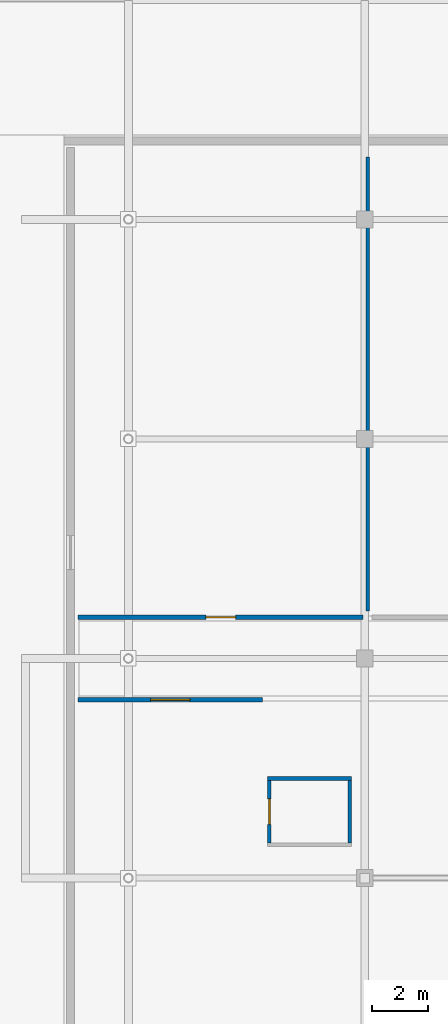
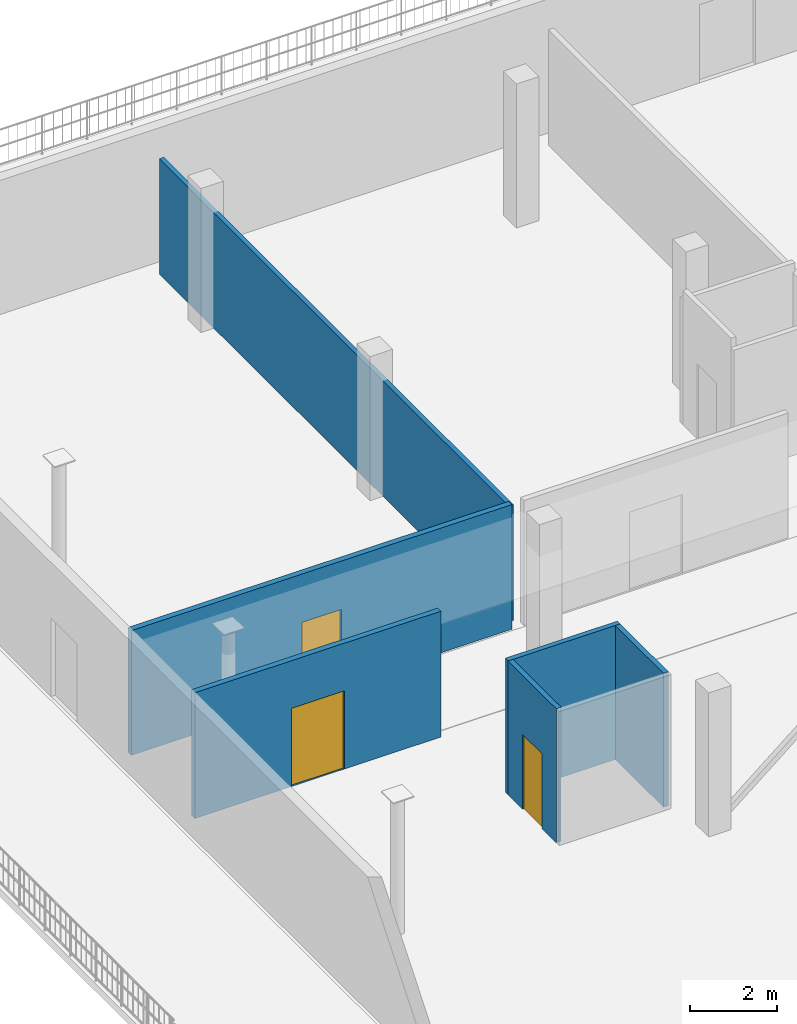
# One storey, part 15 of 25: 6 walls, 3 doors, 3 openings.
"""IFC4 building model written with IfcOpenShell, lengths in metres."""

from ifc_helpers import new_model, si_unit, direction, frame, frame_2d, origin, place, context, subcontext, project, spatial, rectangle, extrude, material, layer, layer_set, type_object, element, fill, save


model = new_model("IFC4")

# Units and contexts
model_context = context("Model", 3, precision=1e-05, world=origin(), true_north=direction((0.0, 1.0)))
body_context = subcontext(model_context, "Body", "Model", "MODEL_VIEW")
ifc_project = project(units=[si_unit("LENGTHUNIT", "METRE"), si_unit("AREAUNIT", "SQUARE_METRE"), si_unit("VOLUMEUNIT", "CUBIC_METRE"), si_unit("PLANEANGLEUNIT", "RADIAN"), si_unit("MASSUNIT", "GRAM", prefix="KILO")], contexts=[model_context])

# Site, building, storey
site_placement = place(None, origin())
site = spatial("IfcSite", under=ifc_project, at=site_placement, CompositionType="ELEMENT")
building_placement = place(site_placement, origin())
building = spatial("IfcBuilding", under=site, at=building_placement, Name="Nabrawat Pavilion Hospital", CompositionType="ELEMENT")
storey_placement = place(building_placement, frame((0.0, 0.0, 22.949951171875)))
storey = spatial("IfcBuildingStorey", under=building, at=storey_placement, Name="L05", CompositionType="ELEMENT", Elevation=22.949951171875)

# Wall, opening, door
ifc_material_1 = material(Name="Gypsum Fireboard on Steel Stud", Category="steel")
ifc_layer_1 = layer(ifc_material_1, 0.14990234375, Name="Gypsum Fireboard on Steel Stud")
ifc_layer_set_1 = layer_set([ifc_layer_1], Name="Gypsum Fireboard on Steel Stud")
wall_type_1 = type_object("IfcWallType", Name="Clinical Corridor Smoke-Barrier Wall 150", PredefinedType="PARTITIONING", material=ifc_layer_set_1)
wall_1_placement = place(storey_placement, frame((141.02001953125, 99.93505859375, 0.0), z_axis=(0.0, 0.0, 1.0), x_axis=(1.0, 0.0, 0.0)))
wall_1 = element("IfcWall", 1, at=wall_1_placement, inside=storey, type_object=wall_type_1, Name="L05 Inpatient Ward Oncology Protective Bedroom L05-01 Front Partition", PredefinedType="PARTITIONING", context=body_context, shape_type="SweptSolid", body=[
    extrude(rectangle(XDim=6.550048828125, YDim=0.14990234375, at=frame_2d((3.27490234375, 0.0))), origin(), (0.0, 0.0, 1.0), 3.5400390625),
])
opening_1_placement = place(wall_1_placement, frame((2.574951171875, 0.0, 0.0)))
opening_1 = element("IfcOpeningElement", 2, at=opening_1_placement, cuts=wall_1, Name="Opening D-BED", PredefinedType="OPENING", context=body_context, shape_type="SweptSolid", body=[
    extrude(rectangle(XDim=1.39990234375, YDim=2.199951171875, at=frame_2d((0.699951171875, 1.10009765625))), frame((0.0, 0.0849609375, 0.0), z_axis=(0.0, -1.0, 0.0), x_axis=(1.0, 0.0, 0.0)), (0.0, 0.0, 1.0), 0.169921875),
])
ifc_material_2 = material(Name="Stainless-Clad Acoustic Timber and Vision Glass", Category="wood")
door_type_1 = type_object("IfcDoorType", Name="D-BED Inpatient Ward Leaf-and-a-Half Door 1400x2200", OperationType="NOTDEFINED", PredefinedType="DOOR", material=ifc_material_2)
door_1_placement = place(opening_1_placement, origin())
door_1 = element("IfcDoor", 3, at=door_1_placement, inside=storey, type_object=door_type_1, Name="Inpatient Ward Oncology Protective Bedroom L05-01 Door", OperationType="SINGLE_SWING_LEFT", OverallHeight=2.199951171875, OverallWidth=1.39990234375, PredefinedType="DOOR", context=body_context, shape_type="SweptSolid", body=[
    extrude(rectangle(XDim=1.39990234375, YDim=2.199951171875, at=frame_2d((0.699951171875, 1.10009765625))), frame((0.0, 0.02490234375, 0.0), z_axis=(0.0, -1.0, 0.0), x_axis=(1.0, 0.0, 0.0)), (0.0, 0.0, 1.0), 0.050048828125),
])
fill(opening_1, door_1)

wall_2_placement = place(storey_placement, frame((141.02001953125, 102.864990234375, 0.0), z_axis=(0.0, 0.0, 1.0), x_axis=(1.0, 0.0, 0.0)))
wall_2 = element("IfcWall", 4, at=wall_2_placement, inside=storey, type_object=wall_type_1, Name="L05 Oncology Quiet Garden Lounge L05-05 Front Partition", PredefinedType="PARTITIONING", context=body_context, shape_type="SweptSolid", body=[
    extrude(rectangle(XDim=10.1240234375, YDim=0.14990234375, at=frame_2d((5.06201171875, 0.0))), origin(), (0.0, 0.0, 1.0), 3.510009765625),
])
opening_2_placement = place(wall_2_placement, frame((4.537109375, 0.0, 0.0)))
opening_2 = element("IfcOpeningElement", 5, at=opening_2_placement, cuts=wall_2, Name="Opening D-OPC-R", PredefinedType="OPENING", context=body_context, shape_type="SweptSolid", body=[
    extrude(rectangle(XDim=1.050048828125, YDim=2.14990234375, at=frame_2d((0.52490234375, 1.074951171875))), frame((0.0, 0.0849609375, 0.0), z_axis=(0.0, -1.0, 0.0), x_axis=(1.0, 0.0, 0.0)), (0.0, 0.0, 1.0), 0.169921875),
])
door_type_2 = type_object("IfcDoorType", Name="Outpatient Clinic Consultation Door R 1050x2150", OperationType="NOTDEFINED", PredefinedType="DOOR", material=ifc_material_2)
door_2_placement = place(opening_2_placement, origin())
door_2 = element("IfcDoor", 6, at=door_2_placement, inside=storey, type_object=door_type_2, Name="Oncology Quiet Garden Lounge L05-05 Door", OperationType="SINGLE_SWING_LEFT", OverallHeight=2.14990234375, OverallWidth=1.050048828125, PredefinedType="DOOR", context=body_context, shape_type="SweptSolid", body=[
    extrude(rectangle(XDim=1.050048828125, YDim=2.14990234375, at=frame_2d((0.52490234375, 1.074951171875))), frame((0.0, 0.02490234375, 0.0), z_axis=(0.0, -1.0, 0.0), x_axis=(1.0, 0.0, 0.0)), (0.0, 0.0, 1.0), 0.050048828125),
])
fill(opening_2, door_2)

ifc_material_3 = material(Name="Cement Board on Steel Stud", Category="steel")
ifc_layer_2 = layer(ifc_material_3, 0.1298828125, Name="Cement Board on Steel Stud")
ifc_layer_set_2 = layer_set([ifc_layer_2], Name="Cement Board on Steel Stud")
wall_type_2 = type_object("IfcWallType", Name="En-Suite Moisture-Resistant Partition 130", PredefinedType="PARTITIONING", material=ifc_layer_set_2)
wall_3_placement = place(storey_placement, frame((147.81005859375, 94.85009765625, 0.0), z_axis=(0.0, 0.0, 1.0), x_axis=(0.0, 1.0, 0.0)))
wall_3 = element("IfcWall", 7, at=wall_3_placement, inside=storey, type_object=wall_type_2, Name="L05 En-Suite Bathroom WRD-ONC-01 Front Partition", PredefinedType="PARTITIONING", context=body_context, shape_type="SweptSolid", body=[
    extrude(rectangle(XDim=2.219970703125, YDim=0.1298828125, at=frame_2d((1.10986328125, 0.0))), origin(), (0.0, 0.0, 1.0), 3.77001953125),
])
opening_3_placement = place(wall_3_placement, frame((0.659912109375, 0.0, 0.0)))
opening_3 = element("IfcOpeningElement", 8, at=opening_3_placement, cuts=wall_3, Name="Opening D-ENS-L", PredefinedType="OPENING", context=body_context, shape_type="SweptSolid", body=[
    extrude(rectangle(XDim=0.89990234375, YDim=2.10009765625, at=frame_2d((0.449951171875, 1.050048828125))), frame((0.0, 0.074951171875, 0.0), z_axis=(0.0, -1.0, 0.0), x_axis=(1.0, 0.0, 0.0)), (0.0, 0.0, 1.0), 0.14990234375),
])
door_type_3 = type_object("IfcDoorType", Name="En-Suite Bathroom Outward Door L 900x2100", OperationType="NOTDEFINED", PredefinedType="DOOR", material=ifc_material_2)
door_3_placement = place(opening_3_placement, origin())
door_3 = element("IfcDoor", 9, at=door_3_placement, inside=storey, type_object=door_type_3, Name="En-Suite Bathroom WRD-ONC-01 Door", OperationType="SINGLE_SWING_RIGHT", OverallHeight=2.10009765625, OverallWidth=0.89990234375, PredefinedType="DOOR", context=body_context, shape_type="SweptSolid", body=[
    extrude(rectangle(XDim=0.89990234375, YDim=2.10009765625, at=frame_2d((0.449951171875, 1.050048828125))), frame((0.0, 0.02490234375, 0.0), z_axis=(0.0, -1.0, 0.0), x_axis=(1.0, 0.0, 0.0)), (0.0, 0.0, 1.0), 0.050048828125),
])
fill(opening_3, door_3)

# Walls
wall_4_placement = place(storey_placement, frame((147.7451171875, 97.135009765625, 0.0), z_axis=(0.0, 0.0, 1.0), x_axis=(1.0, 0.0, 0.0)))
element("IfcWall", 10, at=wall_4_placement, inside=storey, type_object=wall_type_2, Name="L05 En-Suite Bathroom WRD-ONC-01 North Partition", PredefinedType="PARTITIONING", context=body_context, shape_type="SweptSolid", body=[
    extrude(rectangle(XDim=2.97998046875, YDim=0.1298828125, at=frame_2d((1.489990234375, 0.0))), origin(), (0.0, 0.0, 1.0), 3.77001953125),
])
wall_5_placement = place(storey_placement, frame((150.659912109375, 94.85009765625, 0.0), z_axis=(0.0, 0.0, 1.0), x_axis=(0.0, 1.0, 0.0)))
element("IfcWall", 11, at=wall_5_placement, inside=storey, type_object=wall_type_2, Name="L05 En-Suite Bathroom WRD-ONC-01 East Partition", PredefinedType="PARTITIONING", context=body_context, shape_type="SweptSolid", body=[
    extrude(rectangle(XDim=2.219970703125, YDim=0.1298828125, at=frame_2d((1.10986328125, 0.0))), origin(), (0.0, 0.0, 1.0), 3.77001953125),
])
ifc_material_4 = material(Name="Gypsum Plasterboard on Stud", Category="gypsum")
ifc_layer_3 = layer(ifc_material_4, 0.1201171875, Name="Gypsum Plasterboard on Stud")
ifc_layer_set_3 = layer_set([ifc_layer_3], Name="Gypsum Plasterboard on Stud")
wall_type_3 = type_object("IfcWallType", Name="Outpatient Consultation Partition 120", PredefinedType="PARTITIONING", material=ifc_layer_set_3)
wall_6_placement = place(storey_placement, frame((151.303955078125, 103.0849609375, 0.0), z_axis=(0.0, 0.0, 1.0), x_axis=(0.0, 1.0, 0.0)))
element("IfcWall", 12, at=wall_6_placement, inside=storey, type_object=wall_type_3, Name="L05 Oncology Quiet Garden Lounge L05-05 Dividing Partition", PredefinedType="PARTITIONING", context=body_context, shape_type="SweptSolid", body=[
    extrude(rectangle(XDim=16.125, YDim=0.1201171875, at=frame_2d((8.0625, 0.0))), origin(), (0.0, 0.0, 1.0), 3.25),
])

save(model, "model.ifc")
